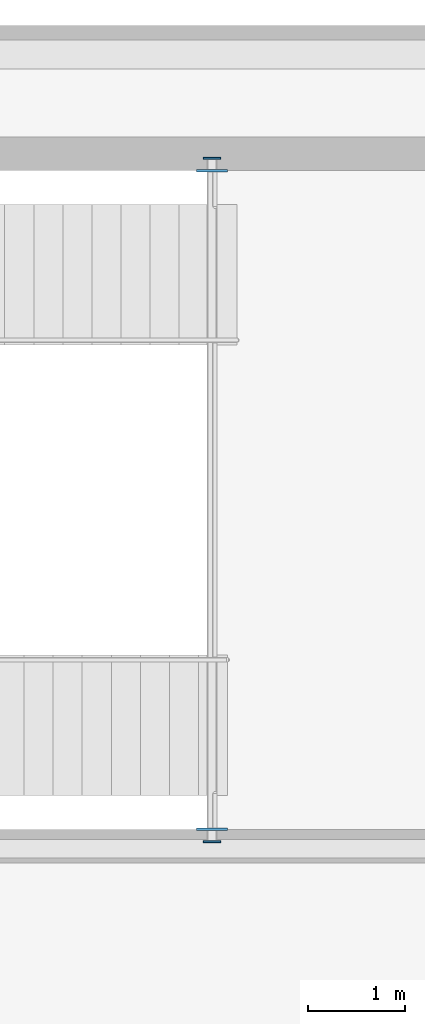
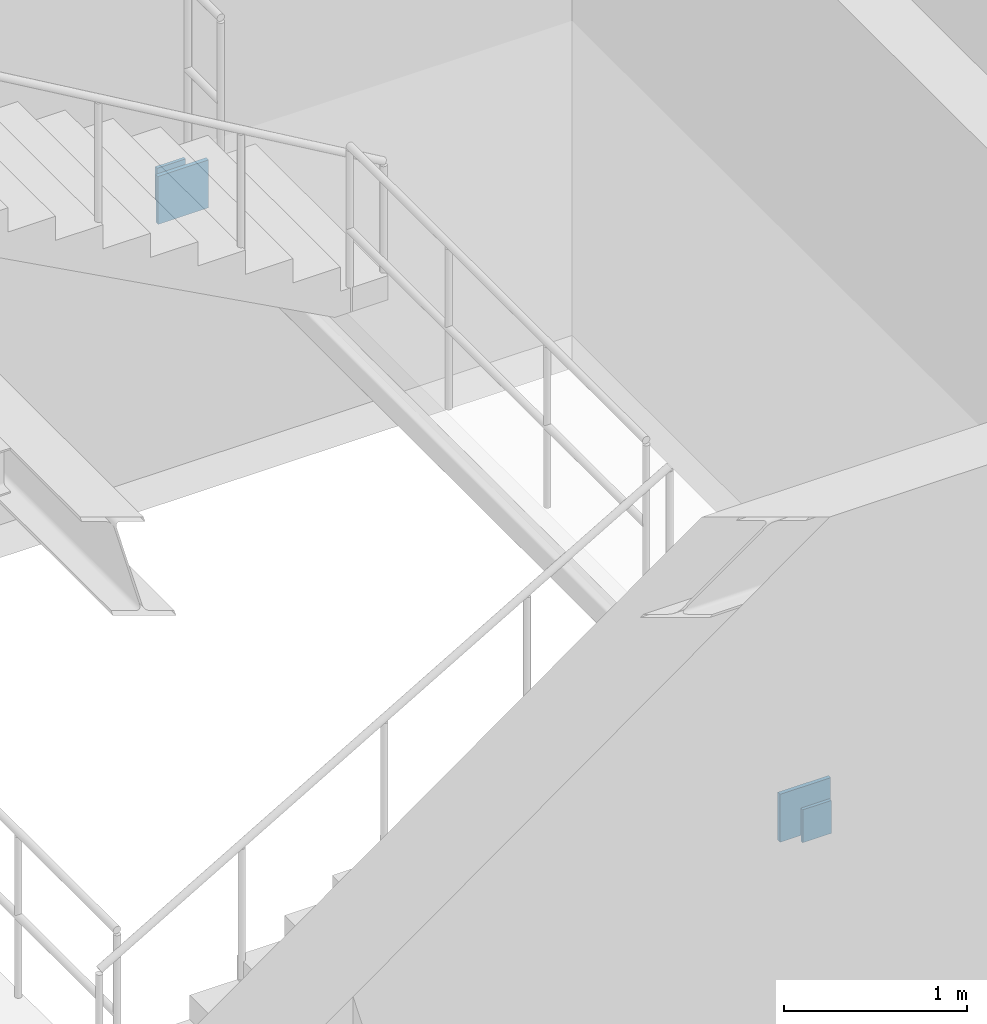
# One storey, part 38 of 57: 4 plates.
"""IFC4 building model written with IfcOpenShell, lengths in metres."""

import ifcopenshell
import ifcopenshell.guid

model = None  # the IFC model being written
_history = None  # IfcOwnerHistory: only IFC2X3 demands one
_inside = {}  # id of a spatial element -> (the spatial element, [elements in it])
_under = {}  # id of a project, library or spatial element -> (it, [spatial elements below it])
_declared = {}  # id of a project -> (the project, [libraries it declares])
_typed = {}  # id of a type object -> (the type object, [elements of that type])
_made_of = {}  # id of a material, layer set ... -> (it, [elements and type objects made of it])


def new_model(schema):
    """Start an empty IFC model of exactly this schema.

    Asked for "IFC4X3", IfcOpenShell would pick the latest addendum, in which some entities
    have other attributes; the version numbers below select the first issue.
    IFC2X3 requires an IfcOwnerHistory on every rooted entity: one is made here for all.
    """
    global model, _history
    if schema == "IFC4X3":
        model = ifcopenshell.file(schema_version=(4, 3, 0, 0))
    else:
        model = ifcopenshell.file(schema=schema)
    _inside.clear()
    _under.clear()
    _declared.clear()
    _typed.clear()
    _made_of.clear()
    _history = None
    if model.schema == "IFC2X3":
        org = make("IfcOrganization", Name="unknown")
        user = make(
            "IfcPersonAndOrganization",
            ThePerson=make("IfcPerson", FamilyName="unknown"),
            TheOrganization=org,
        )
        app = make(
            "IfcApplication",
            ApplicationDeveloper=org,
            Version="unknown",
            ApplicationFullName="unknown",
            ApplicationIdentifier="unknown",
        )
        _history = make(
            "IfcOwnerHistory",
            OwningUser=user,
            OwningApplication=app,
            ChangeAction="ADDED",
            CreationDate=0,
        )
    return model


def make(cls, **values):
    """One entity of the class cls with the attributes given. An attribute that is None is left unset."""
    return model.create_entity(
        cls, **{name: value for name, value in values.items() if value is not None}
    )


def rooted(cls, **values):
    """An entity with a GlobalId (a new one), such as an element, a storey or a relation."""
    return make(cls, GlobalId=ifcopenshell.guid.new(), OwnerHistory=_history, **values)


def si_unit(unit_type, name, prefix=None):
    """IfcSIUnit, for example si_unit("LENGTHUNIT", "METRE", prefix="MILLI")."""
    return make("IfcSIUnit", UnitType=unit_type, Prefix=prefix, Name=name)


def assignment(units):
    """IfcUnitAssignment: the units of a project."""
    return None if units is None else make("IfcUnitAssignment", Units=units)


def point(xyz):
    """IfcCartesianPoint."""
    return None if xyz is None else make("IfcCartesianPoint", Coordinates=xyz)


def direction(xyz):
    """IfcDirection."""
    return None if xyz is None else make("IfcDirection", DirectionRatios=xyz)


def frame(location, z_axis=None, x_axis=None):
    """IfcAxis2Placement3D, a coordinate frame: its origin and axes. An axis left out is left unset."""
    return make(
        "IfcAxis2Placement3D",
        Location=point(location),
        Axis=direction(z_axis),
        RefDirection=direction(x_axis),
    )


def frame_2d(location, x_axis=None):
    """IfcAxis2Placement2D, a coordinate frame in the plane: its origin and x axis."""
    return make(
        "IfcAxis2Placement2D", Location=point(location), RefDirection=direction(x_axis)
    )


def origin():
    """The frame at (0, 0, 0) with its axes left unset."""
    return frame((0.0, 0.0, 0.0))


def origin_2d():
    """The frame at (0, 0) in the plane with its x axis left unset."""
    return frame_2d((0.0, 0.0))


def place(relative_to, where):
    """IfcLocalPlacement: puts the frame where relative to a parent placement (None: the world)."""
    return make(
        "IfcLocalPlacement", PlacementRelTo=relative_to, RelativePlacement=where
    )


def context(
    kind, dimensions, precision=None, world=None, true_north=None, identifier=None
):
    """IfcGeometricRepresentationContext, for example the 3D "Model" context."""
    return make(
        "IfcGeometricRepresentationContext",
        ContextIdentifier=identifier,
        ContextType=kind,
        CoordinateSpaceDimension=dimensions,
        Precision=precision,
        WorldCoordinateSystem=world,
        TrueNorth=true_north,
    )


def subcontext(parent, identifier, kind, view, scale=None):
    """IfcGeometricRepresentationSubContext, for example "Body" below "Model"."""
    return make(
        "IfcGeometricRepresentationSubContext",
        ContextIdentifier=identifier,
        ContextType=kind,
        ParentContext=parent,
        TargetScale=scale,
        TargetView=view,
    )


def project(units=None, contexts=None):
    """IfcProject with its units and contexts."""
    return rooted(
        "IfcProject",
        Name="project",
        RepresentationContexts=contexts,
        UnitsInContext=assignment(units),
    )


def spatial(cls, under=None, at=None, **own):
    """A site, building, storey or space (cls), placed at a placement, below another one or the project."""
    s = rooted(cls, ObjectPlacement=at, **own)
    if under is not None:
        _under.setdefault(under.id(), (under, []))[1].append(s)
    return s


def profile(cls, at=None, kind="AREA", **sizes):
    """A parametric profile (cls). Its sizes go by their IFC names, for example OverallWidth=200.0."""
    return make(cls, ProfileType=kind, Position=at, **sizes)


def rectangle(**sizes):
    """IfcRectangleProfileDef."""
    return profile("IfcRectangleProfileDef", **sizes)


def extrude(swept, where, along, depth):
    """IfcExtrudedAreaSolid: the profile swept, set in the frame where, extruded along a direction by depth."""
    return make(
        "IfcExtrudedAreaSolid",
        SweptArea=swept,
        Position=where,
        ExtrudedDirection=direction(along),
        Depth=depth,
    )


def shape(context_of_items, identifier, shape_type, items):
    """IfcShapeRepresentation: the items that make up one representation, for example the "Body"."""
    return make(
        "IfcShapeRepresentation",
        ContextOfItems=context_of_items,
        RepresentationIdentifier=identifier,
        RepresentationType=shape_type,
        Items=items,
    )


def material(Name=None, Category=None):
    """IfcMaterial."""
    return make("IfcMaterial", Name=Name, Category=Category)


def layer(
    of_material, thickness, ventilated=None, Name=None, Category=None, Priority=None
):
    """IfcMaterialLayer: one layer of a wall or slab, of a material (None: an air gap)."""
    return make(
        "IfcMaterialLayer",
        Material=of_material,
        LayerThickness=thickness,
        IsVentilated=ventilated,
        Name=Name,
        Category=Category,
        Priority=Priority,
    )


def layer_set(layers, Name=None):
    """IfcMaterialLayerSet."""
    return make("IfcMaterialLayerSet", MaterialLayers=layers, LayerSetName=Name)


def made_of(thing, what):
    """Note that an element or type object is made of a material, layer set ...; save() writes the relation."""
    if what is not None:
        _made_of.setdefault(what.id(), (what, []))[1].append(thing)
    return thing


def type_object(cls, material=None, **own):
    """A type object (cls), such as IfcWallType, which elements share."""
    return made_of(rooted(cls, **own), material)


def element(
    cls,
    number,
    at=None,
    inside=None,
    cuts=None,
    type_object=None,
    material=None,
    context=None,
    identifier="Body",
    shape_type=None,
    held_by="IfcProductDefinitionShape",
    body=None,
    shapes=None,
    **own,
):
    """One element of the class cls, such as IfcWall. Its Tag is "e" and its number.

    at: its placement. inside: the storey or other place that contains it. cuts: it is an
    opening in that element (IfcRelVoidsElement). A single representation is given by context,
    identifier, shape_type and body (its items); several are given by shapes. held_by: the class
    of the entity that holds the representations. save() writes the other relations.
    """
    e = rooted(cls, Tag="e%d" % number, ObjectPlacement=at, **own)
    if body is not None:
        shapes = [shape(context, identifier, shape_type, body)]
    if shapes is not None:
        e.Representation = make(held_by, Representations=shapes)
    if inside is not None:
        _inside.setdefault(inside.id(), (inside, []))[1].append(e)
    if cuts is not None:
        rooted(
            "IfcRelVoidsElement", RelatingBuildingElement=cuts, RelatedOpeningElement=e
        )
    if type_object is not None:
        _typed.setdefault(type_object.id(), (type_object, []))[1].append(e)
    return made_of(e, material)


def aggregate(whole, parts):
    """IfcRelAggregates: a whole, such as a stair, and the parts it consists of."""
    return rooted("IfcRelAggregates", RelatingObject=whole, RelatedObjects=parts)


def save(model, path):
    """Write the relations noted so far, then the file.

    IfcRelAggregates (storeys below a building ...), IfcRelContainedInSpatialStructure (elements
    in a storey), IfcRelDefinesByType, IfcRelAssociatesMaterial and IfcRelDeclares: one each for
    every whole, place, type object, material and project.
    """
    for whole, parts in _under.values():
        aggregate(whole, parts)
    for where, things in _inside.values():
        rooted(
            "IfcRelContainedInSpatialStructure",
            RelatedElements=things,
            RelatingStructure=where,
        )
    for kind, things in _typed.values():
        rooted("IfcRelDefinesByType", RelatedObjects=things, RelatingType=kind)
    for what, things in _made_of.values():
        rooted("IfcRelAssociatesMaterial", RelatedObjects=things, RelatingMaterial=what)
    for by, libraries in _declared.values():
        rooted("IfcRelDeclares", RelatingContext=by, RelatedDefinitions=libraries)
    model.write(path)


model = new_model("IFC4")

# Units and contexts
model_context = context("Model", 3, precision=1e-05, world=origin(), true_north=direction((0.0, 1.0)))
body_context = subcontext(model_context, "Body", "Model", "MODEL_VIEW")
ifc_project = project(units=[si_unit("LENGTHUNIT", "METRE"), si_unit("AREAUNIT", "SQUARE_METRE"), si_unit("VOLUMEUNIT", "CUBIC_METRE"), si_unit("PLANEANGLEUNIT", "RADIAN"), si_unit("MASSUNIT", "GRAM", prefix="KILO"), si_unit("THERMODYNAMICTEMPERATUREUNIT", "KELVIN"), si_unit("POWERUNIT", "WATT")], contexts=[model_context])

# Site, building, storey
site_placement = place(None, origin())
site = spatial("IfcSite", under=ifc_project, at=site_placement, CompositionType="ELEMENT")
building_placement = place(site_placement, origin())
building = spatial("IfcBuilding", under=site, at=building_placement, Name="Solvatero Civic Police Headquarters", CompositionType="ELEMENT")
storey_placement = place(building_placement, frame((0.0, 0.0, 9.300048828125)))
storey = spatial("IfcBuildingStorey", under=building, at=storey_placement, Name="L02", CompositionType="ELEMENT", Elevation=9.300048828125)

# Plates
ifc_material = material(Name="Steel S355", Category="steel")
ifc_layer_1 = layer(ifc_material, 0.02001953125)
ifc_layer_set_1 = layer_set([ifc_layer_1], Name="Steel S355")
plate_type_1 = type_object("IfcPlateType", Name="PLT-CAP-20", PredefinedType="SHEET", material=ifc_layer_set_1)
for number, where, z_axis, x_axis, name in (
    (1, (23.93994140625, 75.070068359375, 1.71484375), (0.0, 0.0, 1.0), (1.0, 0.0, 0.0), "Hollow Section Cap Plate 0059"),
    (2, (23.93994140625, 82.1298828125, 1.71484375), (0.0, 0.0, 1.0), (1.0, 0.0, 0.0), "Hollow Section Cap Plate 0060"),
):
    element("IfcPlate", number, at=place(storey_placement, frame(where, z_axis=z_axis, x_axis=x_axis)), inside=storey, type_object=plate_type_1, Name=name, PredefinedType="SHEET", context=body_context, shape_type="SweptSolid", body=[
        extrude(rectangle(XDim=0.179931640625, YDim=0.02001953125, at=origin_2d()), origin(), (0.0, 0.0, 1.0), 0.219970703125),
    ])
ifc_layer_2 = layer(ifc_material, 0.02490234375)
ifc_layer_set_2 = layer_set([ifc_layer_2], Name="Steel S355")
plate_type_2 = type_object("IfcPlateType", Name="PLT-EMB-25", PredefinedType="SHEET", material=ifc_layer_set_2)
for number, where, z_axis, x_axis, name in (
    (3, (23.93994140625, 75.199951171875, 1.6650390625), (0.0, 0.0, 1.0), (1.0, 0.0, 0.0), "Cast-In Shear Wall Embed Plate 0059"),
    (4, (23.93994140625, 82.0, 1.6650390625), (0.0, 0.0, 1.0), (1.0, 0.0, 0.0), "Cast-In Shear Wall Embed Plate 0060"),
):
    element("IfcPlate", number, at=place(storey_placement, frame(where, z_axis=z_axis, x_axis=x_axis)), inside=storey, type_object=plate_type_2, Name=name, PredefinedType="SHEET", context=body_context, shape_type="SweptSolid", body=[
        extrude(rectangle(XDim=0.320068359375, YDim=0.02490234375, at=origin_2d()), origin(), (0.0, 0.0, 1.0), 0.320068359375),
    ])

save(model, "model.ifc")
